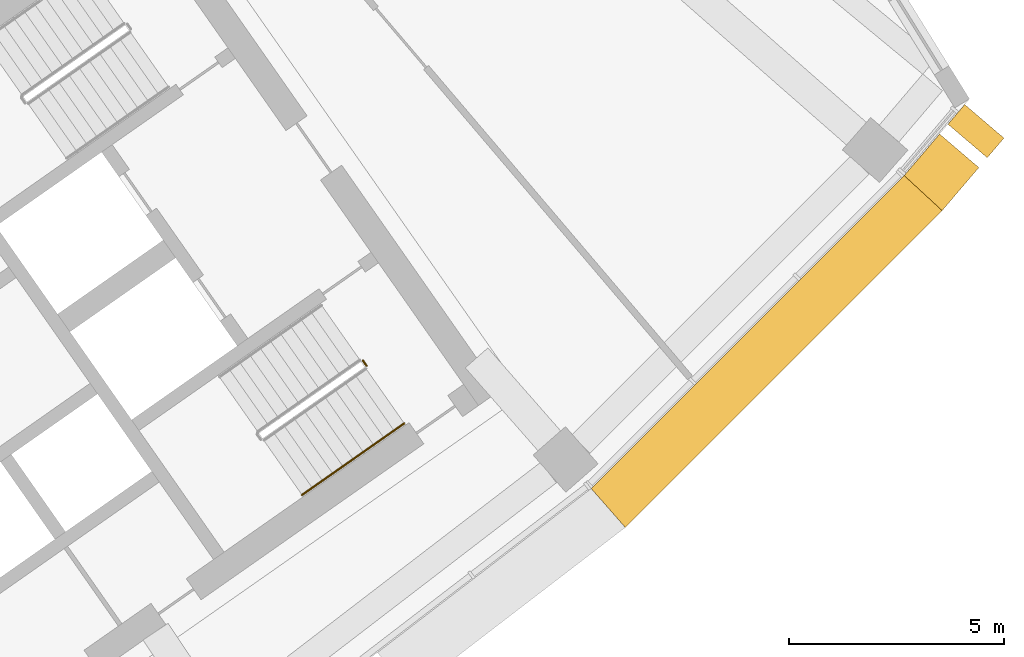
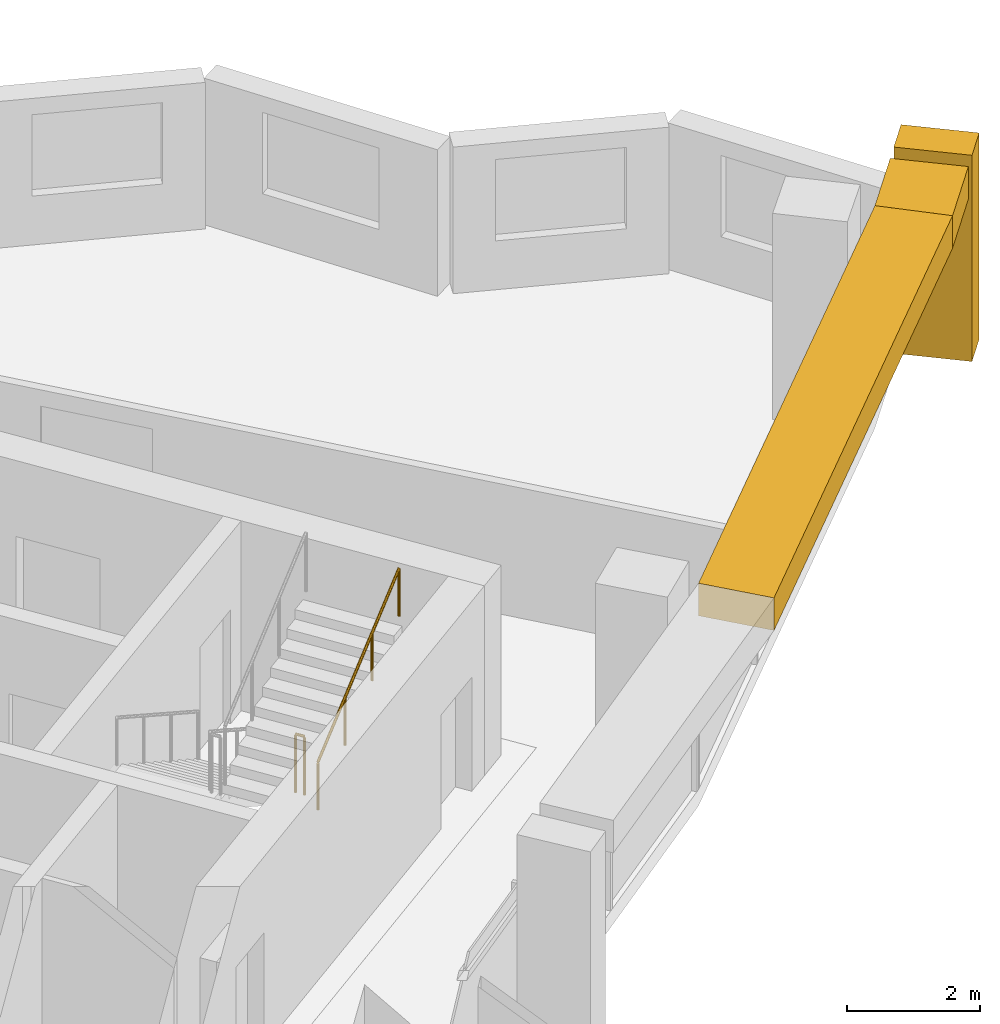
# One storey, part 28 of 28: 3 shading devices, 2 railings.
"""IFC4 building model written with IfcOpenShell, lengths in metres."""

from ifc_helpers import new_model, si_unit, direction, frame, origin, origin_2d, place, context, subcontext, project, spatial, polyline, circle, outline, extrude, material, type_object, element, save


model = new_model("IFC4")

# Units and contexts
model_context = context("Model", 3, precision=1e-05, world=origin(), true_north=direction((0.0, 1.0)))
body_context = subcontext(model_context, "Body", "Model", "MODEL_VIEW")
ifc_project = project(units=[si_unit("LENGTHUNIT", "METRE"), si_unit("AREAUNIT", "SQUARE_METRE"), si_unit("VOLUMEUNIT", "CUBIC_METRE"), si_unit("PLANEANGLEUNIT", "RADIAN"), si_unit("MASSUNIT", "GRAM", prefix="KILO")], contexts=[model_context])

# Site, building, storey
site_placement = place(None, origin())
site = spatial("IfcSite", under=ifc_project, at=site_placement, CompositionType="ELEMENT")
building_placement = place(site_placement, origin())
building = spatial("IfcBuilding", under=site, at=building_placement, Name="Qamariyya Broadcast Tower", CompositionType="ELEMENT")
storey_placement = place(building_placement, frame((0.0, 0.0, 218.89990234375)))
storey = spatial("IfcBuildingStorey", under=building, at=storey_placement, Name="L52", CompositionType="ELEMENT", Elevation=218.89990234375)

# Shading devices
ifc_material_1 = material(Name="Steel S355 powder coated deep red", Category="steel")
shading_device_type = type_object("IfcShadingDeviceType", Name="Deep red frame, powder coated steel box section", PredefinedType="USERDEFINED", material=ifc_material_1)
shading_device_1_placement = place(storey_placement, origin())
element("IfcShadingDevice", 1, at=shading_device_1_placement, inside=storey, type_object=shading_device_type, Name="e-frm-B4-F4-postb-L52", ObjectType="FRAME", PredefinedType="USERDEFINED", context=body_context, shape_type="SweptSolid", body=[
    extrude(outline(polyline([(60.1494140625, -50.664794921875), (61.0625, -51.443603515625), (61.451904296875, -50.987060546875), (60.538818359375, -50.208251953125), (60.1494140625, -50.664794921875)])), origin(), (0.0, 0.0, 1.0), 3.800048828125),
])
shading_device_2_placement = place(storey_placement, frame((0.0, 0.0, 3.2001953125)))
element("IfcShadingDevice", 2, at=shading_device_2_placement, inside=storey, type_object=shading_device_type, Name="e-frm-B4-F4-top1", ObjectType="FRAME", PredefinedType="USERDEFINED", context=body_context, shape_type="SweptSolid", body=[
    extrude(outline(polyline([(51.857666015625, -59.132080078125), (52.650390625, -60.036376953125), (60.014404296875, -52.67236328125), (59.132080078125, -51.857666015625), (51.857666015625, -59.132080078125)])), origin(), (0.0, 0.0, 1.0), 0.599853515625),
])
shading_device_3_placement = place(storey_placement, frame((0.0, 0.0, 3.2001953125)))
element("IfcShadingDevice", 3, at=shading_device_3_placement, inside=storey, type_object=shading_device_type, Name="e-frm-B4-F4-top2", ObjectType="FRAME", PredefinedType="USERDEFINED", context=body_context, shape_type="SweptSolid", body=[
    extrude(outline(polyline([(59.132080078125, -51.857666015625), (60.014404296875, -52.67236328125), (60.867919921875, -51.671875), (59.954833984375, -50.89306640625), (59.132080078125, -51.857666015625)])), origin(), (0.0, 0.0, 1.0), 0.599853515625),
])

# Railings
ifc_material_2 = material(Name="Painted steel", Category="steel")
railing_type_1 = type_object("IfcRailingType", Name="Stair guard", PredefinedType="GUARDRAIL", material=ifc_material_2)
railing_1_placement = place(storey_placement, frame((46.550537109375, -56.1552734375, 0.0)))
element("IfcRailing", 4, at=railing_1_placement, inside=storey, type_object=railing_type_1, Name="L52 ST-E1 stair guard 3", PredefinedType="GUARDRAIL", context=body_context, shape_type="SweptSolid", body=[
    extrude(circle(Radius=0.02392578125, at=origin_2d()), frame((0.0, 0.0, 1.076171875), z_axis=(0.574444878118, -0.818543268254, 0.0), x_axis=(0.818543268254, 0.574444878118, 0.0)), (0.0, 0.0, 1.0), 0.150146484375),
    extrude(circle(Radius=0.02099609375, at=origin_2d()), origin(), (0.0, 0.0, 1.0), 1.052001953125),
    extrude(circle(Radius=0.02099609375, at=origin_2d()), frame((0.086181640625, -0.122802734375, 0.0)), (0.0, 0.0, 1.0), 1.052001953125),
])
ifc_material_3 = material(Name="Stainless steel", Category="steel")
railing_type_2 = type_object("IfcRailingType", Name="Stair handrail", PredefinedType="HANDRAIL", material=ifc_material_3)
railing_2_placement = place(storey_placement, frame((45.137939453125, -59.28076171875, 2.07275390625)))
element("IfcRailing", 5, at=railing_2_placement, inside=storey, type_object=railing_type_2, Name="L52 ST-E1 stair handrail 2", PredefinedType="HANDRAIL", context=body_context, shape_type="SweptSolid", body=[
    extrude(circle(Radius=0.02392578125, at=origin_2d()), frame((0.0, 0.0, 0.8759765625), z_axis=(0.703770094002, 0.492783725636, 0.511734163933), x_axis=(-0.573575343427, 0.819152809562, 0.0)), (0.0, 0.0, 1.0), 3.37548828125),
    extrude(circle(Radius=0.02099609375, at=origin_2d()), origin(), (0.0, 0.0, 1.0), 0.851806640625),
    extrude(circle(Radius=0.02099609375, at=origin_2d()), frame((0.791748046875, 0.554443359375, 0.57568359375)), (0.0, 0.0, 1.0), 0.851806640625),
    extrude(circle(Radius=0.02099609375, at=origin_2d()), frame((1.583740234375, 1.10888671875, 1.151611328125)), (0.0, 0.0, 1.0), 0.851806640625),
    extrude(circle(Radius=0.02099609375, at=origin_2d()), frame((2.37548828125, 1.663330078125, 1.727294921875)), (0.0, 0.0, 1.0), 0.851806640625),
])

save(model, "model.ifc")
